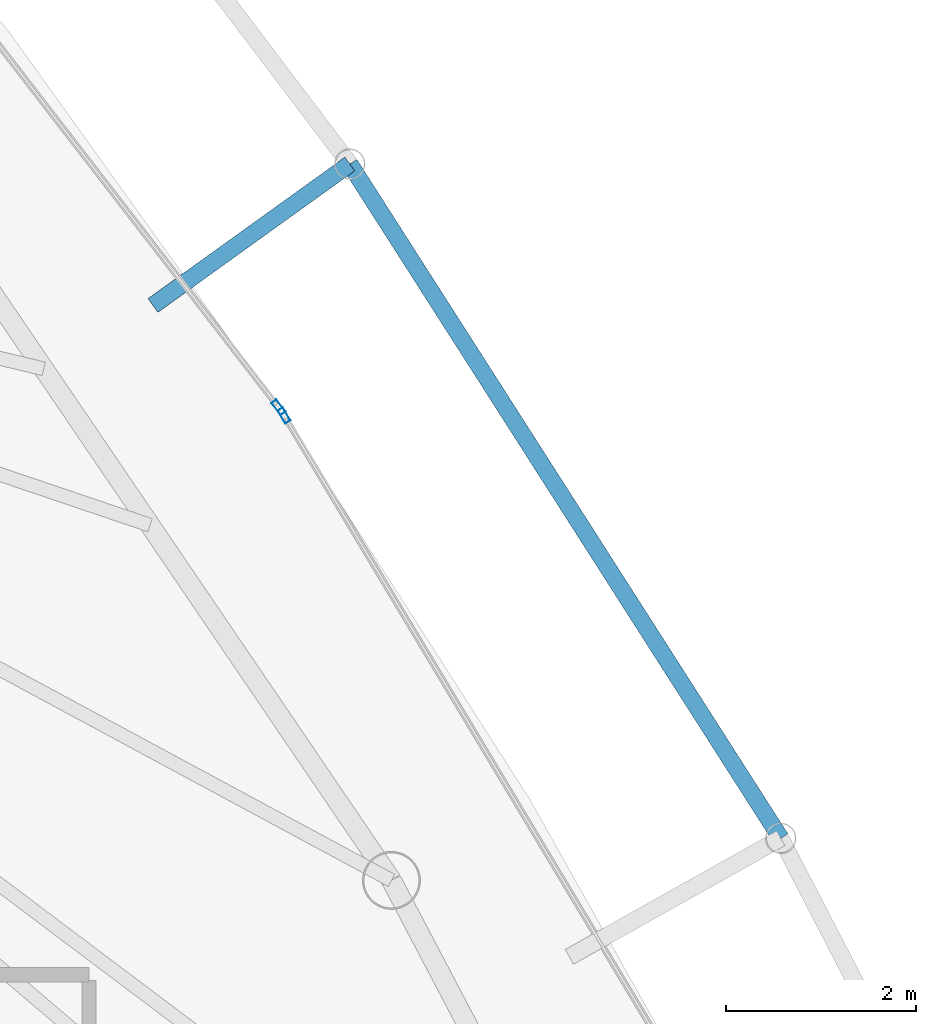
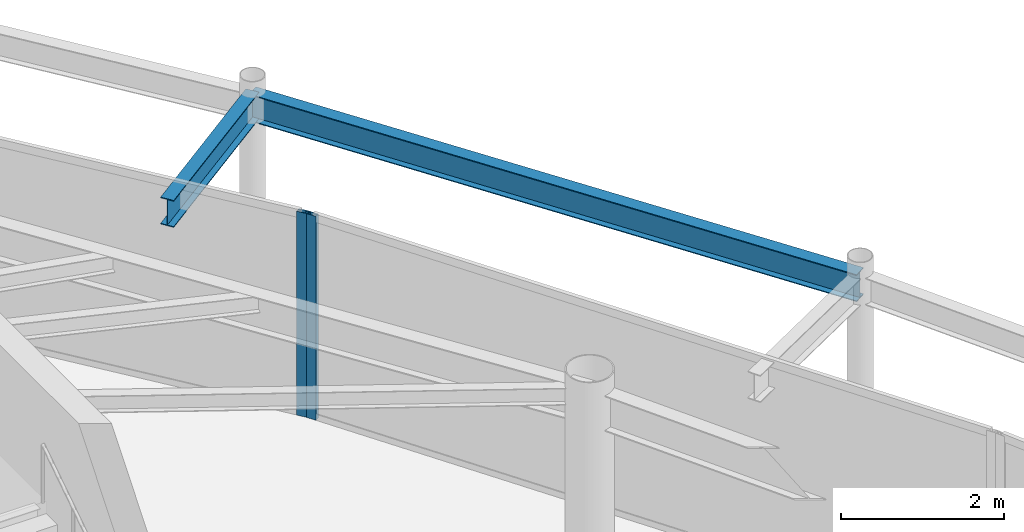
# One storey, part 19 of 29: 2 beams, 2 members, 2 elements without a shape of their own.
"""IFC4 building model written with IfcOpenShell, lengths in metres."""

from ifc_helpers import new_model, si_unit, direction, frame, origin, origin_2d, place, context, subcontext, project, spatial, hollow_rectangle, i_section, extrude, material, layer, layer_set, material_profile, profile_set, type_object, element, aggregate, save


model = new_model("IFC4")

# Units and contexts
model_context = context("Model", 3, precision=1e-05, world=origin(), true_north=direction((0.0, 1.0)))
body_context = subcontext(model_context, "Body", "Model", "MODEL_VIEW")
ifc_project = project(units=[si_unit("LENGTHUNIT", "METRE"), si_unit("AREAUNIT", "SQUARE_METRE"), si_unit("VOLUMEUNIT", "CUBIC_METRE"), si_unit("PLANEANGLEUNIT", "RADIAN"), si_unit("MASSUNIT", "GRAM", prefix="KILO")], contexts=[model_context])

# Site, building, storey
site_placement = place(None, origin())
site = spatial("IfcSite", under=ifc_project, at=site_placement, CompositionType="ELEMENT")
building_placement = place(site_placement, origin())
building = spatial("IfcBuilding", under=site, at=building_placement, Name="Orvanel Arch Residences", CompositionType="ELEMENT")
storey_placement = place(building_placement, frame((0.0, 0.0, 243.64990234375)))
storey = spatial("IfcBuildingStorey", under=building, at=storey_placement, Name="L69", CompositionType="ELEMENT", Elevation=243.64990234375)

# Curtain wall, member
ifc_material_1 = material(Name="Bronze-anodised aluminium AA6063-T6", Category="aluminium")
ifc_layer = layer(ifc_material_1, 0.175048828125)
ifc_layer_set = layer_set([ifc_layer], Name="Bronze-anodised aluminium AA6063-T6")
curtain_wall_type = type_object("IfcCurtainWallType", Name="CW4-HI-SYS", PredefinedType="NOTDEFINED", material=ifc_layer_set)
curtain_wall_1_placement = place(storey_placement, origin())
curtain_wall_1 = element("IfcCurtainWall", 1, at=curtain_wall_1_placement, inside=storey, type_object=curtain_wall_type, Name="L69 CW4-HI-SYS Unitised Curtain Wall", PredefinedType="NOTDEFINED")
ifc_material_profile_1 = material_profile(ifc_material_1, hollow_rectangle(XDim=0.06494140625, YDim=0.159912109375, WallThickness=0.00390625, at=origin_2d()), Name="ALU160x65x4")
ifc_profile_set_1 = profile_set([ifc_material_profile_1], Name="Bronze-anodised aluminium AA6063-T6")
member_type = type_object("IfcMemberType", Name="MUL-160x65", PredefinedType="MULLION", material=ifc_profile_set_1)
member_1_placement = place(storey_placement, frame((44.3017578125, 32.53125, 0.0), z_axis=(0.0, 0.0, 1.0), x_axis=(-0.857511192375, -0.514465309766, 0.0)))
member_1 = element("IfcMember", 2, at=member_1_placement, type_object=member_type, Name="CW-S4 mullion 2", PredefinedType="MULLION", context=body_context, shape_type="SweptSolid", body=[
    extrude(hollow_rectangle(XDim=0.06494140625, YDim=0.159912109375, WallThickness=0.00390625, at=origin_2d()), origin(), (0.0, 0.0, 1.0), 3.06005859375),
])
aggregate(curtain_wall_1, [member_1])

curtain_wall_2_placement = place(storey_placement, origin())
curtain_wall_2 = element("IfcCurtainWall", 3, at=curtain_wall_2_placement, inside=storey, type_object=curtain_wall_type, Name="L69 CW4-HI-SYS Unitised Curtain Wall", PredefinedType="NOTDEFINED")
member_2_placement = place(storey_placement, frame((44.2431640625, 32.61767578125, 0.0), z_axis=(0.0, 0.0, 1.0), x_axis=(-0.791477630276, -0.611198135446, 0.0)))
member_2 = element("IfcMember", 4, at=member_2_placement, type_object=member_type, Name="CW-S4 mullion 1", PredefinedType="MULLION", context=body_context, shape_type="SweptSolid", body=[
    extrude(hollow_rectangle(XDim=0.06494140625, YDim=0.159912109375, WallThickness=0.00390625, at=origin_2d()), origin(), (0.0, 0.0, 1.0), 3.06005859375),
])
aggregate(curtain_wall_2, [member_2])

# Beams
ifc_material_2 = material(Name="Structural steel AS/NZS 3679.1 Grade 300 (300 MPa)", Category="steel")
ifc_material_profile_2 = material_profile(ifc_material_2, i_section(OverallWidth=0.177978515625, OverallDepth=0.406005859375, WebThickness=0.0078125, FlangeThickness=0.0126953125, at=origin_2d()), Name="410UB59.7")
ifc_profile_set_2 = profile_set([ifc_material_profile_2], Name="Structural steel AS/NZS 3679.1 Grade 300 (300 MPa)")
beam_type = type_object("IfcBeamType", Name="OB-410UB-EXT", PredefinedType="SPANDREL", material=ifc_profile_set_2)
beam_1_placement = place(storey_placement, frame((49.52587890625, 28.083984375, 2.857177734375), z_axis=(-0.538552335744, 0.84259206124, 0.0), x_axis=(-0.84259206124, -0.538552335744, 0.0)))
element("IfcBeam", 5, at=beam_1_placement, inside=storey, type_object=beam_type, Name="L69 Outer Perimeter Floor Ring Beam 10", PredefinedType="SPANDREL", context=body_context, shape_type="SweptSolid", body=[
    extrude(i_section(OverallWidth=0.177978515625, OverallDepth=0.406005859375, WebThickness=0.0078125, FlangeThickness=0.0126953125, at=origin_2d()), origin(), (0.0, 0.0, 1.0), 8.4169921875),
])
beam_2_placement = place(storey_placement, frame((42.922119140625, 33.68798828125, 2.857177734375), z_axis=(0.81208059142, 0.583545296476, 0.0), x_axis=(-0.583545296476, 0.81208059142, 0.0)))
element("IfcBeam", 6, at=beam_2_placement, inside=storey, type_object=beam_type, Name="L69 Outer Frame Radial Tie Beam 11", PredefinedType="SPANDREL", context=body_context, shape_type="SweptSolid", body=[
    extrude(i_section(OverallWidth=0.177978515625, OverallDepth=0.406005859375, WebThickness=0.0078125, FlangeThickness=0.0126953125, at=origin_2d()), origin(), (0.0, 0.0, 1.0), 2.550048828125),
])

save(model, "model.ifc")
